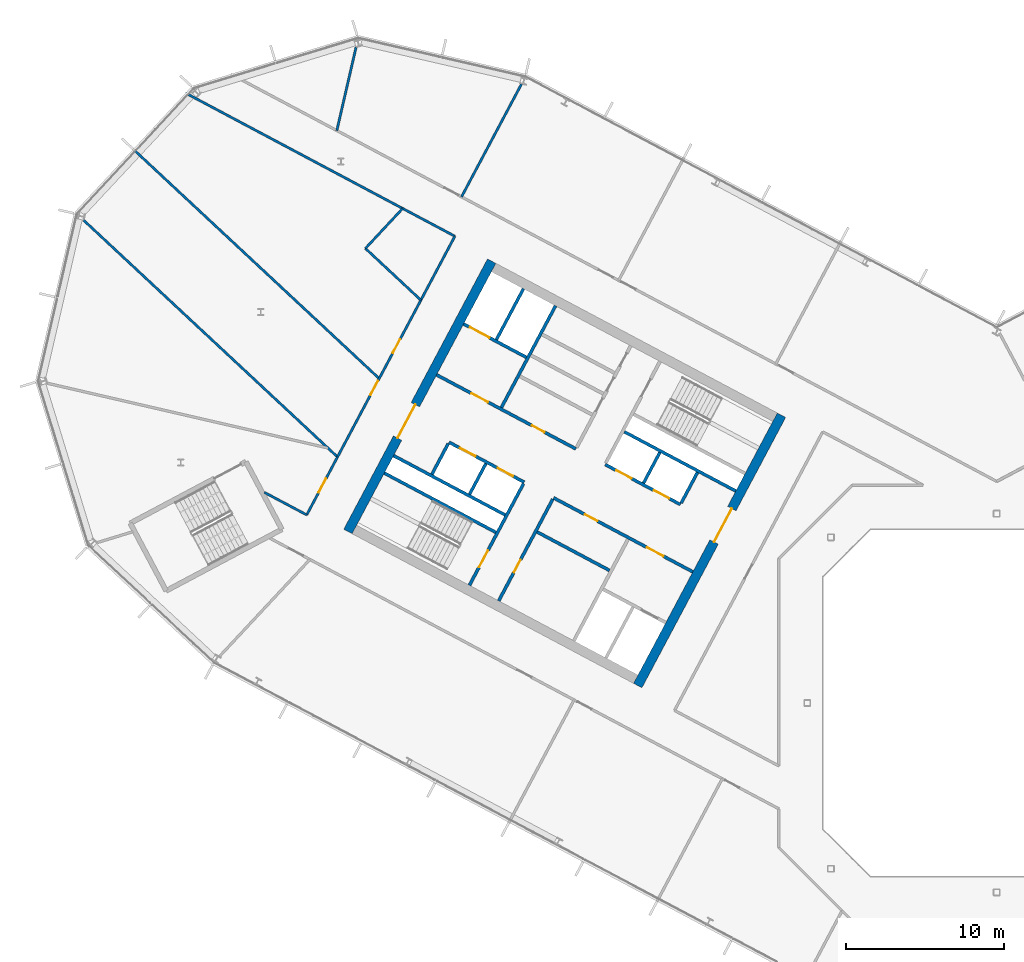
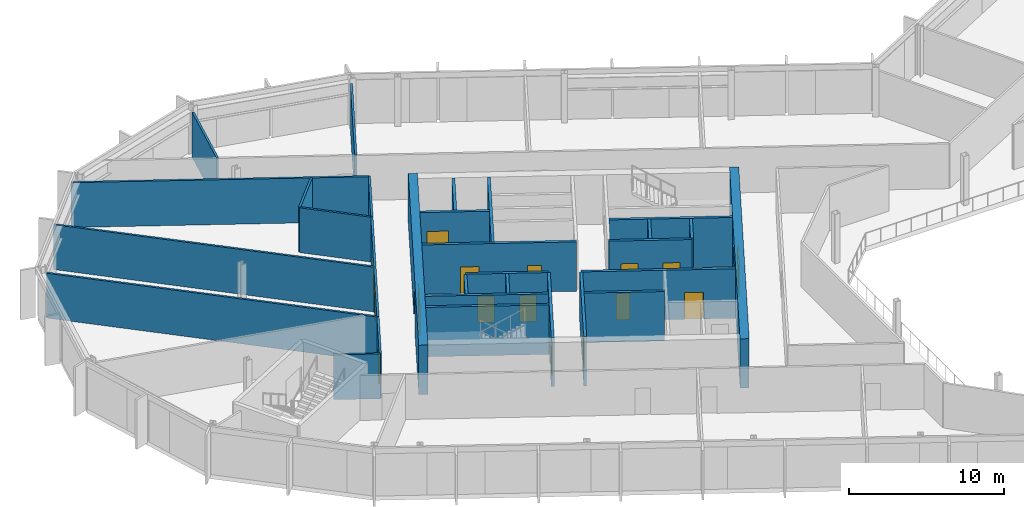
# One storey, part 14 of 27: 29 walls, 16 doors, 16 openings.
"""IFC4 building model written with IfcOpenShell, lengths in metres."""

from ifc_helpers import new_model, si_unit, direction, frame, frame_2d, origin, place, context, subcontext, project, spatial, rectangle, extrude, material, layer, layer_set, type_object, element, fill, save


model = new_model("IFC4")

# Units and contexts
model_context = context("Model", 3, precision=1e-05, world=origin(), true_north=direction((0.0, 1.0)))
body_context = subcontext(model_context, "Body", "Model", "MODEL_VIEW")
ifc_project = project(units=[si_unit("LENGTHUNIT", "METRE"), si_unit("AREAUNIT", "SQUARE_METRE"), si_unit("VOLUMEUNIT", "CUBIC_METRE"), si_unit("PLANEANGLEUNIT", "RADIAN"), si_unit("MASSUNIT", "GRAM", prefix="KILO")], contexts=[model_context])

# Site, building, storey
site_placement = place(None, origin())
site = spatial("IfcSite", under=ifc_project, at=site_placement, CompositionType="ELEMENT")
building_placement = place(site_placement, origin())
building = spatial("IfcBuilding", under=site, at=building_placement, Name="Cormorant Relay Tower", CompositionType="ELEMENT")
storey_placement = place(building_placement, frame((0.0, 0.0, 201.300048828125)))
storey = spatial("IfcBuildingStorey", under=building, at=storey_placement, Name="L43", CompositionType="ELEMENT", Elevation=201.300048828125)

# Walls
ifc_material_1 = material(Name="Concrete 40 MPa", Category="concrete")
ifc_layer_1 = layer(ifc_material_1, 0.199951171875)
ifc_layer_set_1 = layer_set([ifc_layer_1], Name="Core internal wall 200")
wall_type_1 = type_object("IfcWallType", Name="Core internal wall 200", PredefinedType="SOLIDWALL", material=ifc_layer_set_1)
wall_1_placement = place(storey_placement, frame((-21.34375, 15.87890625, 0.0), z_axis=(0.0, 0.0, 1.0), x_axis=(-0.4694473164, -0.882960484464, 0.0)))
element("IfcWall", 1, at=wall_1_placement, inside=storey, type_object=wall_type_1, Name="L43 core A shaft and room wall", PredefinedType="SOLIDWALL", context=body_context, shape_type="SweptSolid", body=[
    extrude(rectangle(XDim=2.199951171875, YDim=0.199951171875, at=frame_2d((1.10009765625, 0.0))), origin(), (0.0, 0.0, 1.0), 3.89990234375),
])
wall_2_placement = place(storey_placement, frame((-32.3662109375, 15.1708984375, 0.0), z_axis=(0.0, 0.0, 1.0), x_axis=(-0.469487830541, -0.882938942948, 0.0)))
element("IfcWall", 2, at=wall_2_placement, inside=storey, type_object=wall_type_1, Name="L43 core A shaft and room wall", PredefinedType="SOLIDWALL", context=body_context, shape_type="SweptSolid", body=[
    extrude(rectangle(XDim=2.2001953125, YDim=0.199951171875, at=frame_2d((1.10009765625, 0.0))), origin(), (0.0, 0.0, 1.0), 3.89990234375),
])
ifc_material_2 = material(Name="Concrete 50 MPa", Category="concrete")
ifc_layer_2 = layer(ifc_material_2, 0.199951171875)
ifc_layer_set_2 = layer_set([ifc_layer_2], Name="Core shaft wall 200")
wall_type_2 = type_object("IfcWallType", Name="Core shaft wall 200", PredefinedType="SHEAR", material=ifc_layer_set_2)
wall_3_placement = place(storey_placement, frame((-18.959716796875, 14.611328125, 0.0), z_axis=(0.0, 0.0, 1.0), x_axis=(-0.4694473164, -0.882960484464, 0.0)))
element("IfcWall", 3, at=wall_3_placement, inside=storey, type_object=wall_type_2, Name="L43 core A shaft wall", PredefinedType="SHEAR", context=body_context, shape_type="SweptSolid", body=[
    extrude(rectangle(XDim=2.199951171875, YDim=0.199951171875, at=frame_2d((1.10009765625, 0.0))), origin(), (0.0, 0.0, 1.0), 3.89990234375),
])

# Wall, opening, door
wall_4_placement = place(storey_placement, frame((-28.128173828125, 12.91748046875, 0.0), z_axis=(0.0, 0.0, 1.0), x_axis=(-0.469454336211, -0.882956752176, 0.0)))
wall_4 = element("IfcWall", 4, at=wall_4_placement, inside=storey, type_object=wall_type_2, Name="L43 core A shaft wall", PredefinedType="SHEAR", context=body_context, shape_type="SweptSolid", body=[
    extrude(rectangle(XDim=7.300048828125, YDim=0.199951171875, at=frame_2d((3.64990234375, 0.0))), origin(), (0.0, 0.0, 1.0), 3.89990234375),
])
opening_1_placement = place(wall_4_placement, frame((4.35009765625, 0.0, 0.0)))
opening_1 = element("IfcOpeningElement", 5, at=opening_1_placement, cuts=wall_4, Name="Opening CDD-256", PredefinedType="OPENING", context=body_context, shape_type="SweptSolid", body=[
    extrude(rectangle(XDim=0.89990234375, YDim=2.10009765625, at=frame_2d((0.449951171875, 1.050048828125))), frame((0.0, 0.10986328125, 0.0), z_axis=(0.0, -1.0, 0.0), x_axis=(1.0, 0.0, 0.0)), (0.0, 0.0, 1.0), 0.219970703125),
])
ifc_material_3 = material(Name="Steel fire door", Category="steel")
door_type_1 = type_object("IfcDoorType", Name="Core room door 900x2100", OperationType="SINGLE_SWING_LEFT", PredefinedType="DOOR", material=ifc_material_3)
door_1_placement = place(opening_1_placement, origin())
door_1 = element("IfcDoor", 6, at=door_1_placement, inside=storey, type_object=door_type_1, Name="Core room door 900x2100", OperationType="SINGLE_SWING_LEFT", OverallHeight=2.10009765625, OverallWidth=0.89990234375, PredefinedType="DOOR", context=body_context, shape_type="SweptSolid", body=[
    extrude(rectangle(XDim=0.89990234375, YDim=2.10009765625, at=frame_2d((0.449951171875, 1.050048828125))), frame((0.0, 0.02490234375, 0.0), z_axis=(0.0, -1.0, 0.0), x_axis=(1.0, 0.0, 0.0)), (0.0, 0.0, 1.0), 0.050048828125),
])
fill(opening_1, door_1)

wall_5_placement = place(storey_placement, frame((-29.982421875, 13.9033203125, 0.0), z_axis=(0.0, 0.0, 1.0), x_axis=(-0.469454336211, -0.882956752176, 0.0)))
wall_5 = element("IfcWall", 7, at=wall_5_placement, inside=storey, type_object=wall_type_2, Name="L43 core A shaft wall", PredefinedType="SHEAR", context=body_context, shape_type="SweptSolid", body=[
    extrude(rectangle(XDim=7.300048828125, YDim=0.199951171875, at=frame_2d((3.64990234375, 0.0))), origin(), (0.0, 0.0, 1.0), 3.89990234375),
])
opening_2_placement = place(wall_5_placement, frame((4.800048828125, 0.0, 0.0)))
opening_2 = element("IfcOpeningElement", 8, at=opening_2_placement, cuts=wall_5, Name="Opening CDB-039", PredefinedType="OPENING", context=body_context, shape_type="SweptSolid", body=[
    extrude(rectangle(XDim=1.199951171875, YDim=2.10009765625, at=frame_2d((0.60009765625, 1.050048828125))), frame((0.0, 0.10986328125, 0.0), z_axis=(0.0, -1.0, 0.0), x_axis=(1.0, 0.0, 0.0)), (0.0, 0.0, 1.0), 0.219970703125),
])
ifc_material_4 = material(Name="Steel fire door", Category="steel")
door_type_2 = type_object("IfcDoorType", Name="Core stair door 1200x2100", OperationType="SINGLE_SWING_LEFT", PredefinedType="DOOR", material=ifc_material_4)
door_2_placement = place(opening_2_placement, frame((1.199951171875, 0.0, 0.0), z_axis=(0.0, 0.0, 1.0), x_axis=(-1.0, 0.0, 0.0)))
door_2 = element("IfcDoor", 9, at=door_2_placement, inside=storey, type_object=door_type_2, Name="Core stair door 1200x2100", OperationType="SINGLE_SWING_RIGHT", OverallHeight=2.10009765625, OverallWidth=1.199951171875, PredefinedType="DOOR", context=body_context, shape_type="SweptSolid", body=[
    extrude(rectangle(XDim=1.199951171875, YDim=2.10009765625, at=frame_2d((0.60009765625, 1.050048828125))), frame((0.0, 0.02490234375, 0.0), z_axis=(0.0, -1.0, 0.0), x_axis=(1.0, 0.0, 0.0)), (0.0, 0.0, 1.0), 0.050048828125),
])
fill(opening_2, door_2)

# Walls
wall_6_placement = place(storey_placement, frame((-27.955322265625, 25.170654296875, 0.0), z_axis=(0.0, 0.0, 1.0), x_axis=(-0.469480409012, -0.88294288918, 0.0)))
element("IfcWall", 10, at=wall_6_placement, inside=storey, type_object=wall_type_2, Name="L43 core A shaft wall", PredefinedType="SHEAR", context=body_context, shape_type="SweptSolid", body=[
    extrude(rectangle(XDim=7.300048828125, YDim=0.199951171875, at=frame_2d((3.64990234375, 0.0))), origin(), (0.0, 0.0, 1.0), 3.89990234375),
])
wall_7_placement = place(storey_placement, frame((-34.750244140625, 16.4384765625, 0.0), z_axis=(0.0, 0.0, 1.0), x_axis=(-0.469401318492, -0.882984938828, 0.0)))
element("IfcWall", 11, at=wall_7_placement, inside=storey, type_object=wall_type_2, Name="L43 core A shaft wall", PredefinedType="SHEAR", context=body_context, shape_type="SweptSolid", body=[
    extrude(rectangle(XDim=2.199951171875, YDim=0.199951171875, at=frame_2d((1.10009765625, 0.0))), origin(), (0.0, 0.0, 1.0), 3.89990234375),
])
wall_8_placement = place(storey_placement, frame((-29.986083984375, 26.250244140625, 0.0), z_axis=(0.0, 0.0, 1.0), x_axis=(-0.469494272526, -0.882935517501, 0.0)))
element("IfcWall", 12, at=wall_8_placement, inside=storey, type_object=wall_type_2, Name="L43 core A shaft wall", PredefinedType="SHEAR", context=body_context, shape_type="SweptSolid", body=[
    extrude(rectangle(XDim=3.64990234375, YDim=0.199951171875, at=frame_2d((1.824951171875, 0.0))), origin(), (0.0, 0.0, 1.0), 3.89990234375),
])

# Wall, opening, door
wall_9_placement = place(storey_placement, frame((-29.80419921875, 21.906494140625, 0.0), z_axis=(0.0, 0.0, 1.0), x_axis=(-0.882960433586, 0.469447412093, 0.0)))
wall_9 = element("IfcWall", 13, at=wall_9_placement, inside=storey, type_object=wall_type_2, Name="L43 core A shaft wall", PredefinedType="SHEAR", context=body_context, shape_type="SweptSolid", body=[
    extrude(rectangle(XDim=4.5, YDim=0.199951171875, at=frame_2d((2.25, 0.0))), origin(), (0.0, 0.0, 1.0), 3.89990234375),
])
opening_3_placement = place(wall_9_placement, frame((2.64990234375, 0.0, 0.0)))
opening_3 = element("IfcOpeningElement", 14, at=opening_3_placement, cuts=wall_9, Name="Opening LD3-015", PredefinedType="OPENING", context=body_context, shape_type="SweptSolid", body=[
    extrude(rectangle(XDim=1.39990234375, YDim=2.39990234375, at=frame_2d((0.699951171875, 1.199951171875))), frame((0.0, 0.10986328125, 0.0), z_axis=(0.0, -1.0, 0.0), x_axis=(1.0, 0.0, 0.0)), (0.0, 0.0, 1.0), 0.219970703125),
])
ifc_material_5 = material(Name="Stainless steel 316", Category="steel")
door_type_3 = type_object("IfcDoorType", Name="Lift landing door 1400x2400", OperationType="DOUBLE_DOOR_SLIDING", PredefinedType="DOOR", material=ifc_material_5)
door_3_placement = place(opening_3_placement, origin())
door_3 = element("IfcDoor", 15, at=door_3_placement, inside=storey, type_object=door_type_3, Name="SV1 landing door", OperationType="DOUBLE_DOOR_SLIDING", OverallHeight=2.39990234375, OverallWidth=1.39990234375, PredefinedType="DOOR", context=body_context, shape_type="SweptSolid", body=[
    extrude(rectangle(XDim=1.39990234375, YDim=2.39990234375, at=frame_2d((0.699951171875, 1.199951171875))), frame((0.0, 0.02490234375, 0.0), z_axis=(0.0, -1.0, 0.0), x_axis=(1.0, 0.0, 0.0)), (0.0, 0.0, 1.0), 0.050048828125),
])
fill(opening_3, door_3)

# Wall
wall_10_placement = place(storey_placement, frame((-16.52880859375, 13.43212890625, 0.0), z_axis=(0.0, 0.0, 1.0), x_axis=(-0.88295287151, 0.469461634952, 0.0)))
element("IfcWall", 16, at=wall_10_placement, inside=storey, type_object=wall_type_2, Name="L43 core A shaft wall", PredefinedType="SHEAR", context=body_context, shape_type="SweptSolid", body=[
    extrude(rectangle(XDim=7.999755859375, YDim=0.199951171875, at=frame_2d((4.0, 0.0))), origin(), (0.0, 0.0, 1.0), 3.89990234375),
])

# Wall, openings, doors
wall_11_placement = place(storey_placement, frame((-20.03955078125, 12.58056640625, 0.0), z_axis=(0.0, 0.0, 1.0), x_axis=(-0.882942972946, 0.469480251476, 0.0)))
wall_11 = element("IfcWall", 17, at=wall_11_placement, inside=storey, type_object=wall_type_2, Name="L43 core A shaft wall", PredefinedType="SHEAR", context=body_context, shape_type="SweptSolid", body=[
    extrude(rectangle(XDim=5.39990234375, YDim=0.199951171875, at=frame_2d((2.699951171875, 0.0))), origin(), (0.0, 0.0, 1.0), 3.89990234375),
])
opening_4_placement = place(wall_11_placement, frame((0.800048828125, 0.0, 0.0)))
opening_4 = element("IfcOpeningElement", 18, at=opening_4_placement, cuts=wall_11, Name="Opening LD1-061", PredefinedType="OPENING", context=body_context, shape_type="SweptSolid", body=[
    extrude(rectangle(XDim=1.10009765625, YDim=2.10009765625, at=frame_2d((0.550048828125, 1.050048828125))), frame((0.0, 0.10986328125, 0.0), z_axis=(0.0, -1.0, 0.0), x_axis=(1.0, 0.0, 0.0)), (0.0, 0.0, 1.0), 0.219970703125),
])
opening_5_placement = place(wall_11_placement, frame((3.5, 0.0, 0.0)))
opening_5 = element("IfcOpeningElement", 19, at=opening_5_placement, cuts=wall_11, Name="Opening LD1-062", PredefinedType="OPENING", context=body_context, shape_type="SweptSolid", body=[
    extrude(rectangle(XDim=1.10009765625, YDim=2.10009765625, at=frame_2d((0.550048828125, 1.050048828125))), frame((0.0, 0.10986328125, 0.0), z_axis=(0.0, -1.0, 0.0), x_axis=(1.0, 0.0, 0.0)), (0.0, 0.0, 1.0), 0.219970703125),
])
ifc_material_6 = material(Name="Stainless steel 316", Category="steel")
door_type_4 = type_object("IfcDoorType", Name="Lift landing door 1100x2100", OperationType="DOUBLE_DOOR_SLIDING", PredefinedType="DOOR", material=ifc_material_6)
door_4_placement = place(opening_4_placement, origin())
door_4 = element("IfcDoor", 20, at=door_4_placement, inside=storey, type_object=door_type_4, Name="MR3 landing door", OperationType="DOUBLE_DOOR_SLIDING", OverallHeight=2.10009765625, OverallWidth=1.10009765625, PredefinedType="DOOR", context=body_context, shape_type="SweptSolid", body=[
    extrude(rectangle(XDim=1.10009765625, YDim=2.10009765625, at=frame_2d((0.550048828125, 1.050048828125))), frame((0.0, 0.02490234375, 0.0), z_axis=(0.0, -1.0, 0.0), x_axis=(1.0, 0.0, 0.0)), (0.0, 0.0, 1.0), 0.050048828125),
])
fill(opening_4, door_4)
door_5_placement = place(opening_5_placement, origin())
door_5 = element("IfcDoor", 21, at=door_5_placement, inside=storey, type_object=door_type_4, Name="MR4 landing door", OperationType="DOUBLE_DOOR_SLIDING", OverallHeight=2.10009765625, OverallWidth=1.10009765625, PredefinedType="DOOR", context=body_context, shape_type="SweptSolid", body=[
    extrude(rectangle(XDim=1.10009765625, YDim=2.10009765625, at=frame_2d((0.550048828125, 1.050048828125))), frame((0.0, 0.02490234375, 0.0), z_axis=(0.0, -1.0, 0.0), x_axis=(1.0, 0.0, 0.0)), (0.0, 0.0, 1.0), 0.050048828125),
])
fill(opening_5, door_5)

wall_12_placement = place(storey_placement, frame((-26.66162109375, 16.1015625, 0.0), z_axis=(0.0, 0.0, 1.0), x_axis=(-0.882940221191, 0.469485426614, 0.0)))
wall_12 = element("IfcWall", 22, at=wall_12_placement, inside=storey, type_object=wall_type_2, Name="L43 core A shaft wall", PredefinedType="SHEAR", context=body_context, shape_type="SweptSolid", body=[
    extrude(rectangle(XDim=10.0, YDim=0.199951171875, at=frame_2d((5.0, 0.0))), origin(), (0.0, 0.0, 1.0), 3.89990234375),
])
opening_6_placement = place(wall_12_placement, frame((6.300048828125, 0.0, 0.0)))
opening_6 = element("IfcOpeningElement", 23, at=opening_6_placement, cuts=wall_12, Name="Opening CDC-034", PredefinedType="OPENING", context=body_context, shape_type="SweptSolid", body=[
    extrude(rectangle(XDim=1.199951171875, YDim=2.10009765625, at=frame_2d((0.60009765625, 1.050048828125))), frame((0.0, 0.10986328125, 0.0), z_axis=(0.0, -1.0, 0.0), x_axis=(1.0, 0.0, 0.0)), (0.0, 0.0, 1.0), 0.219970703125),
])
opening_7_placement = place(wall_12_placement, frame((2.25, 0.0, 0.0)))
opening_7 = element("IfcOpeningElement", 24, at=opening_7_placement, cuts=wall_12, Name="Opening CDD-255", PredefinedType="OPENING", context=body_context, shape_type="SweptSolid", body=[
    extrude(rectangle(XDim=0.89990234375, YDim=2.10009765625, at=frame_2d((0.449951171875, 1.050048828125))), frame((0.0, 0.10986328125, 0.0), z_axis=(0.0, -1.0, 0.0), x_axis=(1.0, 0.0, 0.0)), (0.0, 0.0, 1.0), 0.219970703125),
])
ifc_material_7 = material(Name="Steel fire door", Category="steel")
door_type_5 = type_object("IfcDoorType", Name="Core lobby door 1200x2100", OperationType="SINGLE_SWING_LEFT", PredefinedType="DOOR", material=ifc_material_7)
door_6_placement = place(opening_6_placement, origin())
door_6 = element("IfcDoor", 25, at=door_6_placement, inside=storey, type_object=door_type_5, Name="Core lobby door 1200x2100", OperationType="SINGLE_SWING_LEFT", OverallHeight=2.10009765625, OverallWidth=1.199951171875, PredefinedType="DOOR", context=body_context, shape_type="SweptSolid", body=[
    extrude(rectangle(XDim=1.199951171875, YDim=2.10009765625, at=frame_2d((0.60009765625, 1.050048828125))), frame((0.0, 0.02490234375, 0.0), z_axis=(0.0, -1.0, 0.0), x_axis=(1.0, 0.0, 0.0)), (0.0, 0.0, 1.0), 0.050048828125),
])
fill(opening_6, door_6)
door_7_placement = place(opening_7_placement, origin())
door_7 = element("IfcDoor", 26, at=door_7_placement, inside=storey, type_object=door_type_1, Name="Core room door 900x2100", OperationType="SINGLE_SWING_LEFT", OverallHeight=2.10009765625, OverallWidth=0.89990234375, PredefinedType="DOOR", context=body_context, shape_type="SweptSolid", body=[
    extrude(rectangle(XDim=0.89990234375, YDim=2.10009765625, at=frame_2d((0.449951171875, 1.050048828125))), frame((0.0, 0.02490234375, 0.0), z_axis=(0.0, -1.0, 0.0), x_axis=(1.0, 0.0, 0.0)), (0.0, 0.0, 1.0), 0.050048828125),
])
fill(opening_7, door_7)

wall_13_placement = place(storey_placement, frame((-19.251708984375, 8.31103515625, 0.0), z_axis=(0.0, 0.0, 1.0), x_axis=(-0.882955722218, 0.469456273365, 0.0)))
wall_13 = element("IfcWall", 27, at=wall_13_placement, inside=storey, type_object=wall_type_2, Name="L43 core A shaft wall", PredefinedType="SHEAR", context=body_context, shape_type="SweptSolid", body=[
    extrude(rectangle(XDim=10.0, YDim=0.199951171875, at=frame_2d((5.0, 0.0))), origin(), (0.0, 0.0, 1.0), 3.89990234375),
])
opening_8_placement = place(wall_13_placement, frame((2.10009765625, 0.0, 0.0)))
opening_8 = element("IfcOpeningElement", 28, at=opening_8_placement, cuts=wall_13, Name="Opening CDC-033", PredefinedType="OPENING", context=body_context, shape_type="SweptSolid", body=[
    extrude(rectangle(XDim=1.199951171875, YDim=2.10009765625, at=frame_2d((0.60009765625, 1.050048828125))), frame((0.0, 0.10986328125, 0.0), z_axis=(0.0, -1.0, 0.0), x_axis=(1.0, 0.0, 0.0)), (0.0, 0.0, 1.0), 0.219970703125),
])
opening_9_placement = place(wall_13_placement, frame((6.85009765625, 0.0, 0.0)))
opening_9 = element("IfcOpeningElement", 29, at=opening_9_placement, cuts=wall_13, Name="Opening CDD-254", PredefinedType="OPENING", context=body_context, shape_type="SweptSolid", body=[
    extrude(rectangle(XDim=0.89990234375, YDim=2.10009765625, at=frame_2d((0.449951171875, 1.050048828125))), frame((0.0, 0.10986328125, 0.0), z_axis=(0.0, -1.0, 0.0), x_axis=(1.0, 0.0, 0.0)), (0.0, 0.0, 1.0), 0.219970703125),
])
door_8_placement = place(opening_8_placement, origin())
door_8 = element("IfcDoor", 30, at=door_8_placement, inside=storey, type_object=door_type_5, Name="Core lobby door 1200x2100", OperationType="SINGLE_SWING_RIGHT", OverallHeight=2.10009765625, OverallWidth=1.199951171875, PredefinedType="DOOR", context=body_context, shape_type="SweptSolid", body=[
    extrude(rectangle(XDim=1.199951171875, YDim=2.10009765625, at=frame_2d((0.60009765625, 1.050048828125))), frame((0.0, 0.02490234375, 0.0), z_axis=(0.0, -1.0, 0.0), x_axis=(1.0, 0.0, 0.0)), (0.0, 0.0, 1.0), 0.050048828125),
])
fill(opening_8, door_8)
door_9_placement = place(opening_9_placement, origin())
door_9 = element("IfcDoor", 31, at=door_9_placement, inside=storey, type_object=door_type_1, Name="Core room door 900x2100", OperationType="SINGLE_SWING_LEFT", OverallHeight=2.10009765625, OverallWidth=0.89990234375, PredefinedType="DOOR", context=body_context, shape_type="SweptSolid", body=[
    extrude(rectangle(XDim=0.89990234375, YDim=2.10009765625, at=frame_2d((0.449951171875, 1.050048828125))), frame((0.0, 0.02490234375, 0.0), z_axis=(0.0, -1.0, 0.0), x_axis=(1.0, 0.0, 0.0)), (0.0, 0.0, 1.0), 0.050048828125),
])
fill(opening_9, door_9)

wall_14_placement = place(storey_placement, frame((-29.935302734375, 13.991455078125, 0.0), z_axis=(0.0, 0.0, 1.0), x_axis=(-0.882952937579, 0.469461510692, 0.0)))
wall_14 = element("IfcWall", 32, at=wall_14_placement, inside=storey, type_object=wall_type_2, Name="L43 core A shaft wall", PredefinedType="SHEAR", context=body_context, shape_type="SweptSolid", body=[
    extrude(rectangle(XDim=5.400146484375, YDim=0.199951171875, at=frame_2d((2.7001953125, 0.0))), origin(), (0.0, 0.0, 1.0), 3.89990234375),
])
opening_10_placement = place(wall_14_placement, frame((0.800048828125, 0.0, 0.0)))
opening_10 = element("IfcOpeningElement", 33, at=opening_10_placement, cuts=wall_14, Name="Opening LD1-059", PredefinedType="OPENING", context=body_context, shape_type="SweptSolid", body=[
    extrude(rectangle(XDim=1.10009765625, YDim=2.10009765625, at=frame_2d((0.550048828125, 1.050048828125))), frame((0.0, 0.10986328125, 0.0), z_axis=(0.0, -1.0, 0.0), x_axis=(1.0, 0.0, 0.0)), (0.0, 0.0, 1.0), 0.219970703125),
])
opening_11_placement = place(wall_14_placement, frame((3.5, 0.0, 0.0)))
opening_11 = element("IfcOpeningElement", 34, at=opening_11_placement, cuts=wall_14, Name="Opening LD1-060", PredefinedType="OPENING", context=body_context, shape_type="SweptSolid", body=[
    extrude(rectangle(XDim=1.10009765625, YDim=2.10009765625, at=frame_2d((0.550048828125, 1.050048828125))), frame((0.0, 0.10986328125, 0.0), z_axis=(0.0, -1.0, 0.0), x_axis=(1.0, 0.0, 0.0)), (0.0, 0.0, 1.0), 0.219970703125),
])
door_10_placement = place(opening_10_placement, origin())
door_10 = element("IfcDoor", 35, at=door_10_placement, inside=storey, type_object=door_type_4, Name="MR1 landing door", OperationType="DOUBLE_DOOR_SLIDING", OverallHeight=2.10009765625, OverallWidth=1.10009765625, PredefinedType="DOOR", context=body_context, shape_type="SweptSolid", body=[
    extrude(rectangle(XDim=1.10009765625, YDim=2.10009765625, at=frame_2d((0.550048828125, 1.050048828125))), frame((0.0, 0.02490234375, 0.0), z_axis=(0.0, -1.0, 0.0), x_axis=(1.0, 0.0, 0.0)), (0.0, 0.0, 1.0), 0.050048828125),
])
fill(opening_10, door_10)
door_11_placement = place(opening_11_placement, origin())
door_11 = element("IfcDoor", 36, at=door_11_placement, inside=storey, type_object=door_type_4, Name="MR2 landing door", OperationType="DOUBLE_DOOR_SLIDING", OverallHeight=2.10009765625, OverallWidth=1.10009765625, PredefinedType="DOOR", context=body_context, shape_type="SweptSolid", body=[
    extrude(rectangle(XDim=1.10009765625, YDim=2.10009765625, at=frame_2d((0.550048828125, 1.050048828125))), frame((0.0, 0.02490234375, 0.0), z_axis=(0.0, -1.0, 0.0), x_axis=(1.0, 0.0, 0.0)), (0.0, 0.0, 1.0), 0.050048828125),
])
fill(opening_11, door_11)

# Walls
wall_15_placement = place(storey_placement, frame((-24.5283203125, 8.3984375, 0.0), z_axis=(0.0, 0.0, 1.0), x_axis=(-0.882953967957, 0.469459572775, 0.0)))
element("IfcWall", 37, at=wall_15_placement, inside=storey, type_object=wall_type_2, Name="L43 core A shaft wall", PredefinedType="SHEAR", context=body_context, shape_type="SweptSolid", body=[
    extrude(rectangle(XDim=5.199951171875, YDim=0.199951171875, at=frame_2d((2.60009765625, 0.0))), origin(), (0.0, 0.0, 1.0), 3.89990234375),
])
for number, where, z_axis, x_axis, name in (
    (38, (-31.150390625, 11.91943359375, 0.0), (0.0, 0.0, 1.0), (-0.882940221191, 0.469485426614, 0.0), "L43 core A shaft wall"),
    (39, (-31.7373046875, 10.815673828125, 0.0), (0.0, 0.0, 1.0), (-0.882940221191, 0.469485426614, 0.0), "L43 core A shaft wall"),
):
    element("IfcWall", number, at=place(storey_placement, frame(where, z_axis=z_axis, x_axis=x_axis)), inside=storey, type_object=wall_type_2, Name=name, PredefinedType="SHEAR", context=body_context, shape_type="SweptSolid", body=[
        extrude(rectangle(XDim=8.0, YDim=0.199951171875, at=frame_2d((4.0, 0.0))), origin(), (0.0, 0.0, 1.0), 3.89990234375),
    ])

# Wall, opening, door
ifc_material_8 = material(Name="Concrete 50 MPa", Category="concrete")
ifc_layer_3 = layer(ifc_material_8, 0.60009765625)
ifc_layer_set_3 = layer_set([ifc_layer_3], Name="Core wall 600")
wall_type_3 = type_object("IfcWallType", Name="Core wall 600", PredefinedType="SHEAR", material=ifc_layer_set_3)
wall_16_placement = place(storey_placement, frame((-13.634765625, 18.235595703125, 0.0), z_axis=(0.0, 0.0, 1.0), x_axis=(-0.469478769487, -0.88294376095, 0.0)))
wall_16 = element("IfcWall", 40, at=wall_16_placement, inside=storey, type_object=wall_type_3, Name="L43 core A wall", PredefinedType="SHEAR", context=body_context, shape_type="SweptSolid", body=[
    extrude(rectangle(XDim=19.400146484375, YDim=0.60009765625, at=frame_2d((9.7001953125, 0.0))), origin(), (0.0, 0.0, 1.0), 3.89990234375),
])
opening_12_placement = place(wall_16_placement, frame((6.699951171875, 0.0, 0.0)))
opening_12 = element("IfcOpeningElement", 41, at=opening_12_placement, cuts=wall_16, Name="Opening CDA-040", PredefinedType="OPENING", context=body_context, shape_type="SweptSolid", body=[
    extrude(rectangle(XDim=2.39990234375, YDim=2.39990234375, at=frame_2d((1.199951171875, 1.199951171875))), frame((0.0, 0.31005859375, 0.0), z_axis=(0.0, -1.0, 0.0), x_axis=(1.0, 0.0, 0.0)), (0.0, 0.0, 1.0), 0.6201171875),
])
ifc_material_9 = material(Name="Steel fire door", Category="steel")
door_type_6 = type_object("IfcDoorType", Name="Core lobby door 2400x2400", OperationType="DOUBLE_DOOR_SINGLE_SWING", PredefinedType="DOOR", material=ifc_material_9)
door_12_placement = place(opening_12_placement, frame((2.39990234375, 0.0, 0.0), z_axis=(0.0, 0.0, 1.0), x_axis=(-1.0, 0.0, 0.0)))
door_12 = element("IfcDoor", 42, at=door_12_placement, inside=storey, type_object=door_type_6, Name="Core lobby door 2400x2400", OperationType="DOUBLE_DOOR_SINGLE_SWING", OverallHeight=2.39990234375, OverallWidth=2.39990234375, PredefinedType="DOOR", context=body_context, shape_type="SweptSolid", body=[
    extrude(rectangle(XDim=2.39990234375, YDim=2.39990234375, at=frame_2d((1.199951171875, 1.199951171875))), frame((0.0, 0.02490234375, 0.0), z_axis=(0.0, -1.0, 0.0), x_axis=(1.0, 0.0, 0.0)), (0.0, 0.0, 1.0), 0.050048828125),
])
fill(opening_12, door_12)

wall_17_placement = place(storey_placement, frame((-32.000244140625, 28.000732421875, 0.0), z_axis=(0.0, 0.0, 1.0), x_axis=(-0.469468958625, -0.882948977511, 0.0)))
wall_17 = element("IfcWall", 43, at=wall_17_placement, inside=storey, type_object=wall_type_3, Name="L43 core A wall", PredefinedType="SHEAR", context=body_context, shape_type="SweptSolid", body=[
    extrude(rectangle(XDim=19.39990234375, YDim=0.60009765625, at=frame_2d((9.699951171875, 0.0))), origin(), (0.0, 0.0, 1.0), 3.89990234375),
])
opening_13_placement = place(wall_17_placement, frame((10.300048828125, 0.0, 0.0)))
opening_13 = element("IfcOpeningElement", 44, at=opening_13_placement, cuts=wall_17, Name="Opening CDA-041", PredefinedType="OPENING", context=body_context, shape_type="SweptSolid", body=[
    extrude(rectangle(XDim=2.39990234375, YDim=2.39990234375, at=frame_2d((1.199951171875, 1.199951171875))), frame((0.0, 0.31005859375, 0.0), z_axis=(0.0, -1.0, 0.0), x_axis=(1.0, 0.0, 0.0)), (0.0, 0.0, 1.0), 0.6201171875),
])
door_13_placement = place(opening_13_placement, origin())
door_13 = element("IfcDoor", 45, at=door_13_placement, inside=storey, type_object=door_type_6, Name="Core lobby door 2400x2400", OperationType="DOUBLE_DOOR_SINGLE_SWING", OverallHeight=2.39990234375, OverallWidth=2.39990234375, PredefinedType="DOOR", context=body_context, shape_type="SweptSolid", body=[
    extrude(rectangle(XDim=2.39990234375, YDim=2.39990234375, at=frame_2d((1.199951171875, 1.199951171875))), frame((0.0, 0.02490234375, 0.0), z_axis=(0.0, -1.0, 0.0), x_axis=(1.0, 0.0, 0.0)), (0.0, 0.0, 1.0), 0.050048828125),
])
fill(opening_13, door_13)

# Wall, openings, doors
ifc_material_10 = material(Name="Gypsum board fire partition")
ifc_layer_4 = layer(ifc_material_10, 0.14990234375)
ifc_layer_set_4 = layer_set([ifc_layer_4], Name="Corridor partition 150 EI 60")
wall_type_4 = type_object("IfcWallType", Name="Corridor partition 150 EI 60", PredefinedType="PARTITIONING", material=ifc_layer_set_4)
wall_18_placement = place(storey_placement, frame((-41.76904296875, 15.592041015625, 0.0), z_axis=(0.0, 0.0, 1.0), x_axis=(0.469444027343, 0.882962233163, 0.0)))
wall_18 = element("IfcWall", 46, at=wall_18_placement, inside=storey, type_object=wall_type_4, Name="wall/L43/part/007", PredefinedType="PARTITIONING", context=body_context, shape_type="SweptSolid", body=[
    extrude(rectangle(XDim=15.84228515625, YDim=0.14990234375, at=frame_2d((7.921142578125, 0.0))), origin(), (0.0, 0.0, 1.0), 3.5400390625),
])
opening_14_placement = place(wall_18_placement, frame((7.449951171875, 0.0, 0.0)))
opening_14 = element("IfcOpeningElement", 47, at=opening_14_placement, cuts=wall_18, Name="Opening DS-125", PredefinedType="OPENING", context=body_context, shape_type="SweptSolid", body=[
    extrude(rectangle(XDim=1.0, YDim=2.10009765625, at=frame_2d((0.5, 1.050048828125))), frame((0.0, 0.0849609375, 0.0), z_axis=(0.0, -1.0, 0.0), x_axis=(1.0, 0.0, 0.0)), (0.0, 0.0, 1.0), 0.169921875),
])
opening_15_placement = place(wall_18_placement, frame((4.449951171875, 0.0, 0.0)))
opening_15 = element("IfcOpeningElement", 48, at=opening_15_placement, cuts=wall_18, Name="Opening DS-126", PredefinedType="OPENING", context=body_context, shape_type="SweptSolid", body=[
    extrude(rectangle(XDim=1.0, YDim=2.10009765625, at=frame_2d((0.5, 1.050048828125))), frame((0.0, 0.0849609375, 0.0), z_axis=(0.0, -1.0, 0.0), x_axis=(1.0, 0.0, 0.0)), (0.0, 0.0, 1.0), 0.169921875),
])
ifc_material_11 = material(Name="Timber door leaf", Category="wood")
door_type_7 = type_object("IfcDoorType", Name="Suite door 1000x2100", OperationType="SINGLE_SWING_LEFT", PredefinedType="DOOR", material=ifc_material_11)
door_14_placement = place(opening_14_placement, origin())
door_14 = element("IfcDoor", 49, at=door_14_placement, inside=storey, type_object=door_type_7, Name="door/L43/006", OperationType="SINGLE_SWING_RIGHT", OverallHeight=2.10009765625, OverallWidth=1.0, PredefinedType="DOOR", context=body_context, shape_type="SweptSolid", body=[
    extrude(rectangle(XDim=1.0, YDim=2.10009765625, at=frame_2d((0.5, 1.050048828125))), frame((0.0, 0.02490234375, 0.0), z_axis=(0.0, -1.0, 0.0), x_axis=(1.0, 0.0, 0.0)), (0.0, 0.0, 1.0), 0.050048828125),
])
fill(opening_14, door_14)
door_15_placement = place(opening_15_placement, origin())
door_15 = element("IfcDoor", 50, at=door_15_placement, inside=storey, type_object=door_type_7, Name="door/L43/007", OperationType="SINGLE_SWING_RIGHT", OverallHeight=2.10009765625, OverallWidth=1.0, PredefinedType="DOOR", context=body_context, shape_type="SweptSolid", body=[
    extrude(rectangle(XDim=1.0, YDim=2.10009765625, at=frame_2d((0.5, 1.050048828125))), frame((0.0, 0.02490234375, 0.0), z_axis=(0.0, -1.0, 0.0), x_axis=(1.0, 0.0, 0.0)), (0.0, 0.0, 1.0), 0.050048828125),
])
fill(opening_15, door_15)

# Walls
wall_19_placement = place(storey_placement, frame((-34.33203125, 29.580078125, 0.0), z_axis=(0.0, 0.0, 1.0), x_axis=(-0.882939350293, 0.46948706447, 0.0)))
element("IfcWall", 51, at=wall_19_placement, inside=storey, type_object=wall_type_4, Name="wall/L43/part/008", PredefinedType="PARTITIONING", context=body_context, shape_type="SweptSolid", body=[
    extrude(rectangle(XDim=19.327392578125, YDim=0.14990234375, at=frame_2d((9.66357421875, 0.0))), origin(), (0.0, 0.0, 1.0), 3.5400390625),
])
wall_20_placement = place(storey_placement, frame((-46.403076171875, 13.346923828125, 0.0), z_axis=(0.0, 0.0, 1.0), x_axis=(0.882959580004, -0.46944901755, 0.0)))
element("IfcWall", 52, at=wall_20_placement, inside=storey, type_object=wall_type_4, Name="wall/L43/part/013", PredefinedType="PARTITIONING", context=body_context, shape_type="SweptSolid", body=[
    extrude(rectangle(XDim=3.03759765625, YDim=0.14990234375, at=frame_2d((1.518798828125, 0.0))), origin(), (0.0, 0.0, 1.0), 3.5400390625),
])

# Wall, opening, door
wall_21_placement = place(storey_placement, frame((-41.76904296875, 15.592041015625, 0.0), z_axis=(0.0, 0.0, 1.0), x_axis=(-0.468884925056, -0.883259263781, 0.0)))
wall_21 = element("IfcWall", 53, at=wall_21_placement, inside=storey, type_object=wall_type_4, Name="wall/L43/part/014", PredefinedType="PARTITIONING", context=body_context, shape_type="SweptSolid", body=[
    extrude(rectangle(XDim=4.160888671875, YDim=0.14990234375, at=frame_2d((2.08056640625, 0.0))), origin(), (0.0, 0.0, 1.0), 3.5400390625),
])
opening_16_placement = place(wall_21_placement, frame((1.550048828125, 0.0, 0.0)))
opening_16 = element("IfcOpeningElement", 54, at=opening_16_placement, cuts=wall_21, Name="Opening DS-127", PredefinedType="OPENING", context=body_context, shape_type="SweptSolid", body=[
    extrude(rectangle(XDim=1.0, YDim=2.10009765625, at=frame_2d((0.5, 1.050048828125))), frame((0.0, 0.0849609375, 0.0), z_axis=(0.0, -1.0, 0.0), x_axis=(1.0, 0.0, 0.0)), (0.0, 0.0, 1.0), 0.169921875),
])
door_16_placement = place(opening_16_placement, frame((1.0, 0.0, 0.0), z_axis=(0.0, 0.0, 1.0), x_axis=(-1.0, 0.0, 0.0)))
door_16 = element("IfcDoor", 55, at=door_16_placement, inside=storey, type_object=door_type_7, Name="door/L43/008", OperationType="SINGLE_SWING_RIGHT", OverallHeight=2.10009765625, OverallWidth=1.0, PredefinedType="DOOR", context=body_context, shape_type="SweptSolid", body=[
    extrude(rectangle(XDim=1.0, YDim=2.10009765625, at=frame_2d((0.5, 1.050048828125))), frame((0.0, 0.02490234375, 0.0), z_axis=(0.0, -1.0, 0.0), x_axis=(1.0, 0.0, 0.0)), (0.0, 0.0, 1.0), 0.050048828125),
])
fill(opening_16, door_16)

# Walls
ifc_material_12 = material(Name="Gypsum board partition")
ifc_layer_5 = layer(ifc_material_12, 0.14990234375)
ifc_layer_set_5 = layer_set([ifc_layer_5], Name="Tenant partition 150")
wall_type_5 = type_object("IfcWallType", Name="Tenant partition 150", PredefinedType="PARTITIONING", material=ifc_layer_set_5)
wall_22_placement = place(storey_placement, frame((-54.714111328125, 35.095947265625, 0.0), z_axis=(0.0, 0.0, 1.0), x_axis=(0.73136184742, -0.681989624656, 0.0)))
element("IfcWall", 56, at=wall_22_placement, inside=storey, type_object=wall_type_5, Name="wall/L43/part/002", PredefinedType="PARTITIONING", context=body_context, shape_type="SweptSolid", body=[
    extrude(rectangle(XDim=21.3125, YDim=0.14990234375, at=frame_2d((10.65625, 0.0))), origin(), (0.0, 0.0, 1.0), 3.5400390625),
])
wall_23_placement = place(storey_placement, frame((-41.76904296875, 15.593017578125, 0.0), z_axis=(0.0, 0.0, 1.0), x_axis=(-0.731378467381, 0.681971801067, 0.0)))
element("IfcWall", 57, at=wall_23_placement, inside=storey, type_object=wall_type_5, Name="wall/L43/part/003", PredefinedType="PARTITIONING", context=body_context, shape_type="SweptSolid", body=[
    extrude(rectangle(XDim=21.999267578125, YDim=0.14990234375, at=frame_2d((10.99951171875, 0.0))), origin(), (0.0, 0.0, 1.0), 3.5400390625),
])
wall_24_placement = place(storey_placement, frame((-37.639892578125, 31.339111328125, 0.0), z_axis=(0.0, 0.0, 1.0), x_axis=(-0.681983873773, -0.731367210035, 0.0)))
element("IfcWall", 58, at=wall_24_placement, inside=storey, type_object=wall_type_5, Name="wall/L43/part/005", PredefinedType="PARTITIONING", context=body_context, shape_type="SweptSolid", body=[
    extrude(rectangle(XDim=3.460693359375, YDim=0.14990234375, at=frame_2d((1.73046875, 0.0))), origin(), (0.0, 0.0, 1.0), 3.5400390625),
])
wall_25_placement = place(storey_placement, frame((-40.0, 28.80810546875, 0.0), z_axis=(0.0, 0.0, 1.0), x_axis=(0.731313661346, -0.682041295471, 0.0)))
element("IfcWall", 59, at=wall_25_placement, inside=storey, type_object=wall_type_5, Name="wall/L43/part/006", PredefinedType="PARTITIONING", context=body_context, shape_type="SweptSolid", body=[
    extrude(rectangle(XDim=4.80615234375, YDim=0.14990234375, at=frame_2d((2.403076171875, 0.0))), origin(), (0.0, 0.0, 1.0), 3.5400390625),
])
wall_26_placement = place(storey_placement, frame((-30.10888671875, 39.22509765625, 0.0), z_axis=(0.0, 0.0, 1.0), x_axis=(-0.469490973279, -0.882937271843, 0.0)))
element("IfcWall", 60, at=wall_26_placement, inside=storey, type_object=wall_type_5, Name="wall/L43/part/016", PredefinedType="PARTITIONING", context=body_context, shape_type="SweptSolid", body=[
    extrude(rectangle(XDim=8.09814453125, YDim=0.14990234375, at=frame_2d((4.049072265625, 0.0))), origin(), (0.0, 0.0, 1.0), 3.5400390625),
])
wall_27_placement = place(storey_placement, frame((-41.81298828125, 36.27587890625, 0.0), z_axis=(0.0, 0.0, 1.0), x_axis=(0.22495163737, 0.974369930183, 0.0)))
element("IfcWall", 61, at=wall_27_placement, inside=storey, type_object=wall_type_5, Name="wall/L43/part/017", PredefinedType="PARTITIONING", context=body_context, shape_type="SweptSolid", body=[
    extrude(rectangle(XDim=5.4189453125, YDim=0.14990234375, at=frame_2d((2.70947265625, 0.0))), origin(), (0.0, 0.0, 1.0), 3.5400390625),
])

save(model, "model.ifc")
